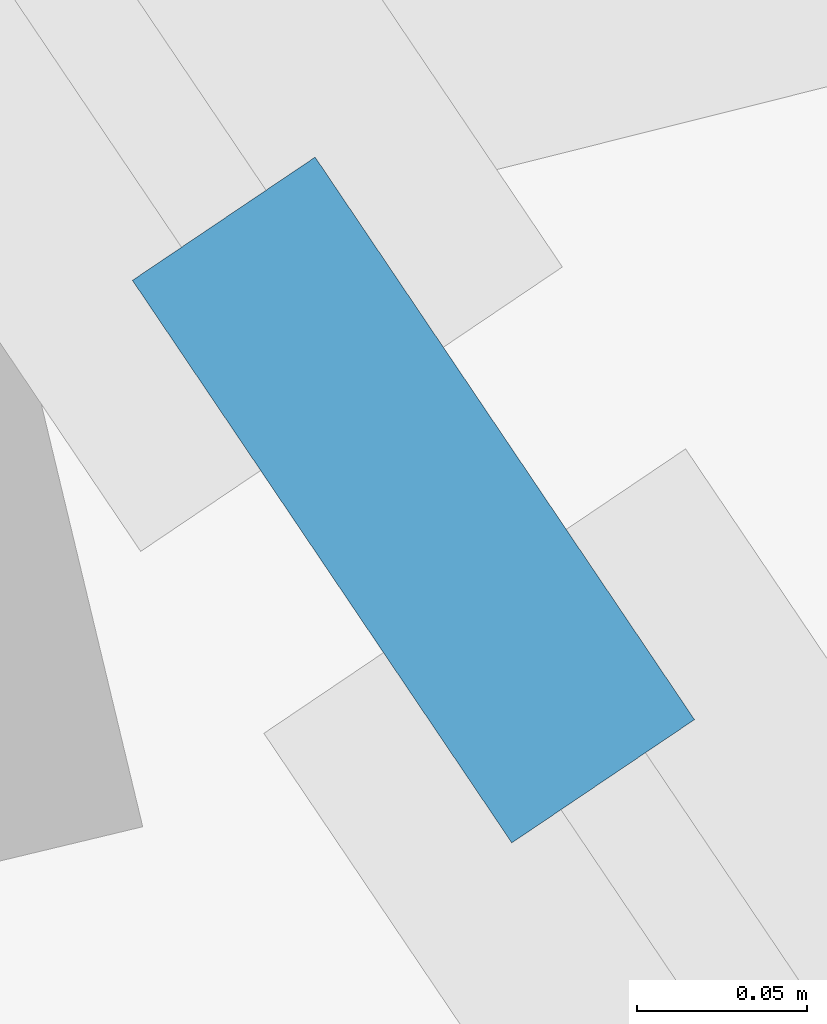
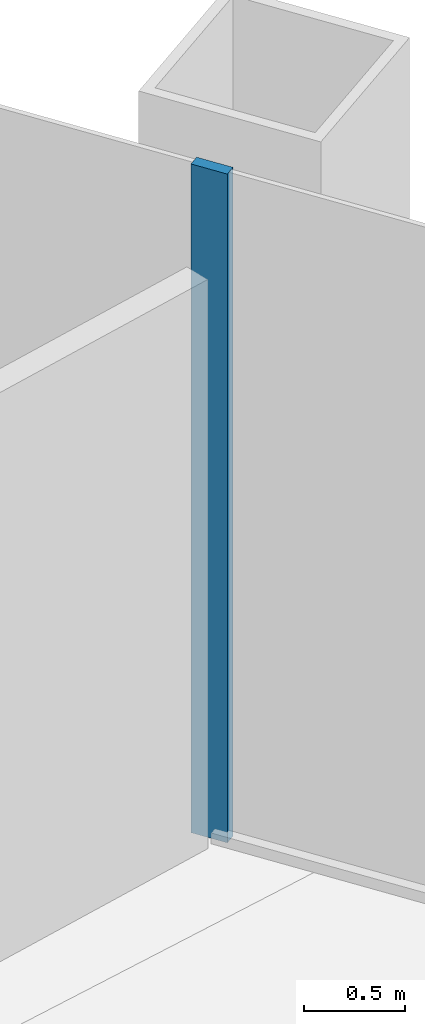
# One storey, part 5 of 13: 1 member, 1 element without a shape of its own.
"""IFC4 building model written with IfcOpenShell, lengths in metres."""

from ifc_helpers import new_model, si_unit, direction, frame, origin, origin_2d, place, context, subcontext, project, spatial, rectangle, extrude, material, material_profile, profile_set, type_object, element, aggregate, save


model = new_model("IFC4")

# Units and contexts
model_context = context("Model", 3, precision=1e-05, world=origin(), true_north=direction((0.0, 1.0)))
body_context = subcontext(model_context, "Body", "Model", "MODEL_VIEW")
ifc_project = project(units=[si_unit("LENGTHUNIT", "METRE"), si_unit("AREAUNIT", "SQUARE_METRE"), si_unit("VOLUMEUNIT", "CUBIC_METRE"), si_unit("PLANEANGLEUNIT", "RADIAN"), si_unit("MASSUNIT", "GRAM", prefix="KILO")], contexts=[model_context])

# Site, building, storey
site_placement = place(None, origin())
site = spatial("IfcSite", under=ifc_project, at=site_placement, CompositionType="ELEMENT")
building_placement = place(site_placement, origin())
building = spatial("IfcBuilding", under=site, at=building_placement, Name="Qingtian Harvest Tower", CompositionType="ELEMENT")
storey_placement = place(building_placement, frame((0.0, 0.0, 222.39990234375)))
storey = spatial("IfcBuildingStorey", under=building, at=storey_placement, Name="L48", CompositionType="ELEMENT", Elevation=222.39990234375)

# Curtain wall, member
ifc_material_1 = material(Name="Bronze-anodised aluminium curtain wall", Category="aluminium")
curtain_wall_type = type_object("IfcCurtainWallType", Name="Curtain wall CW4 office", PredefinedType="USERDEFINED", material=ifc_material_1)
curtain_wall_placement = place(storey_placement, origin())
curtain_wall = element("IfcCurtainWall", 1, at=curtain_wall_placement, inside=storey, type_object=curtain_wall_type, Name="Curtain wall CW4 L48 NE0-5", ObjectType="RECESSED CURTAIN WALL", PredefinedType="USERDEFINED")
ifc_material_2 = material(Name="Bronze-anodised aluminium mullion", Category="aluminium")
ifc_material_profile = material_profile(ifc_material_2, rectangle(XDim=0.06494140625, YDim=0.199951171875, at=origin_2d()), Name="AL 65x200")
ifc_profile_set = profile_set([ifc_material_profile], Name="Bronze-anodised aluminium mullion")
member_type = type_object("IfcMemberType", Name="Mullion CWM 65x200", PredefinedType="MULLION", material=ifc_profile_set)
member_placement = place(storey_placement, frame((23.150390625, 5.55712890625, 0.0), z_axis=(0.0, 0.0, 1.0), x_axis=(0.829037572555, 0.559192903471, 0.0)))
member = element("IfcMember", 2, at=member_placement, type_object=member_type, Name="CW4 mullion 6", PredefinedType="MULLION", context=body_context, shape_type="SweptSolid", body=[
    extrude(rectangle(XDim=0.06494140625, YDim=0.199951171875, at=origin_2d()), origin(), (0.0, 0.0, 1.0), 4.030029296875),
])
aggregate(curtain_wall, [member])

save(model, "model.ifc")
